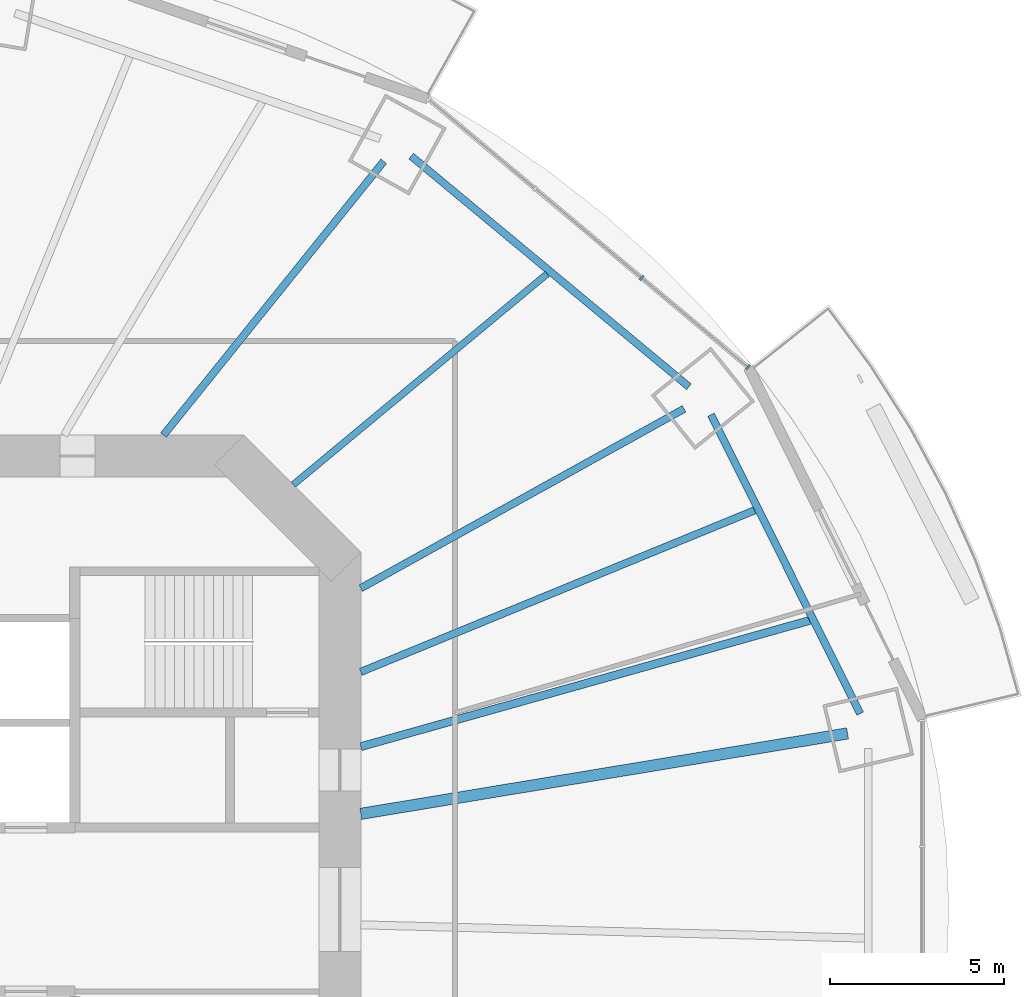
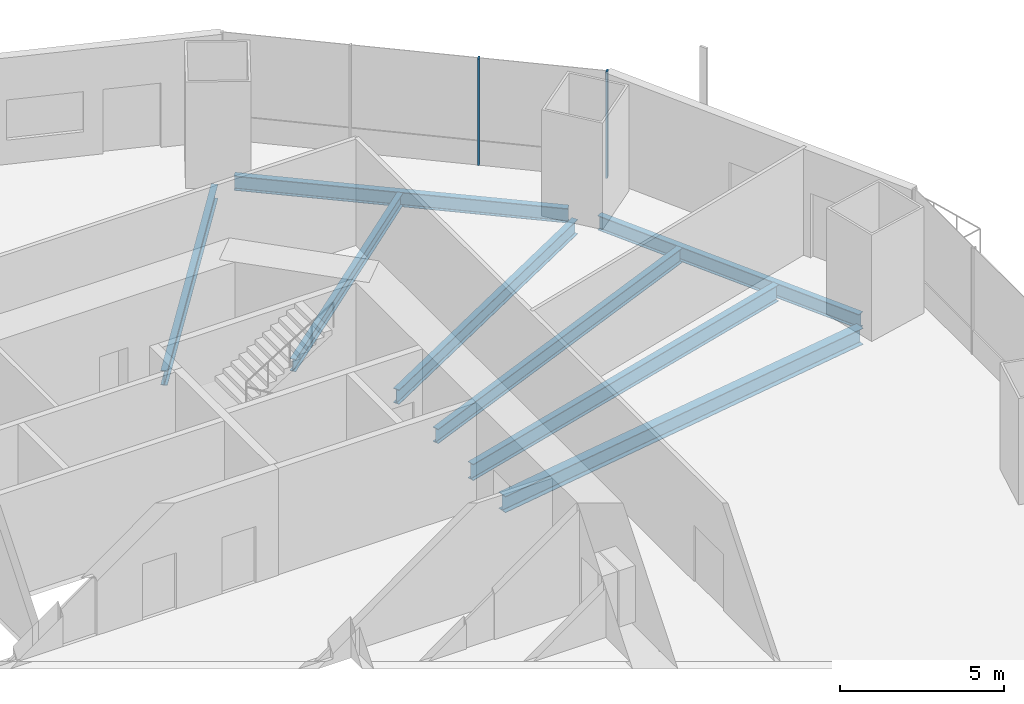
# One storey, part 8 of 20: 8 beams, 2 members, 1 element without a shape of its own.
"""IFC4 building model written with IfcOpenShell, lengths in metres."""

from ifc_helpers import new_model, si_unit, direction, frame, origin, origin_2d, place, context, subcontext, project, spatial, rectangle, i_section, extrude, material, material_profile, profile_set, type_object, element, aggregate, save


model = new_model("IFC4")

# Units and contexts
model_context = context("Model", 3, precision=1e-05, world=origin(), true_north=direction((0.0, 1.0)))
body_context = subcontext(model_context, "Body", "Model", "MODEL_VIEW")
ifc_project = project(units=[si_unit("LENGTHUNIT", "METRE"), si_unit("AREAUNIT", "SQUARE_METRE"), si_unit("VOLUMEUNIT", "CUBIC_METRE"), si_unit("PLANEANGLEUNIT", "RADIAN"), si_unit("MASSUNIT", "GRAM", prefix="KILO")], contexts=[model_context])

# Site, building, storey
site_placement = place(None, origin())
site = spatial("IfcSite", under=ifc_project, at=site_placement, CompositionType="ELEMENT")
building_placement = place(site_placement, origin())
building = spatial("IfcBuilding", under=site, at=building_placement, Name="Marenthal Gate Tower", CompositionType="ELEMENT")
storey_placement = place(building_placement, frame((0.0, 0.0, 132.60009765625)))
storey = spatial("IfcBuildingStorey", under=building, at=storey_placement, Name="L28", CompositionType="ELEMENT", Elevation=132.60009765625)

# Curtain wall, members
ifc_material_1 = material(Name="Aluminium and glass", Category="aluminium")
curtain_wall_type = type_object("IfcCurtainWallType", Name="Curtain wall typical low", PredefinedType="NOTDEFINED", material=ifc_material_1)
curtain_wall_placement = place(storey_placement, origin())
curtain_wall = element("IfcCurtainWall", 1, at=curtain_wall_placement, inside=storey, type_object=curtain_wall_type, Name="Curtain wall L28 bay 2", PredefinedType="NOTDEFINED")
ifc_material_2 = material(Name="Aluminium", Category="aluminium")
ifc_material_profile_1 = material_profile(ifc_material_2, rectangle(XDim=0.159912109375, YDim=0.06005859375, at=origin_2d()), Name="60x160 aluminium mullion")
ifc_profile_set_1 = profile_set([ifc_material_profile_1], Name="Aluminium")
member_type = type_object("IfcMemberType", Name="Mullion 60x160 typical low", PredefinedType="MULLION", material=ifc_profile_set_1)
member_1_placement = place(storey_placement, frame((27.699951171875, 15.55126953125, 0.0), z_axis=(0.0, 0.0, 1.0), x_axis=(-0.642510826857, -0.766276606305, 0.0)))
member_1 = element("IfcMember", 2, at=member_1_placement, type_object=member_type, Name="Mullion L28 bay 2.1", PredefinedType="MULLION", context=body_context, shape_type="SweptSolid", body=[
    extrude(rectangle(XDim=0.159912109375, YDim=0.06005859375, at=origin_2d()), origin(), (0.0, 0.0, 1.0), 3.969970703125),
])
member_2_placement = place(storey_placement, frame((24.64892578125, 18.109619140625, 0.0), z_axis=(0.0, 0.0, 1.0), x_axis=(-0.642510826857, -0.766276606305, 0.0)))
member_2 = element("IfcMember", 3, at=member_2_placement, type_object=member_type, Name="Mullion L28 bay 2.2", PredefinedType="MULLION", context=body_context, shape_type="SweptSolid", body=[
    extrude(rectangle(XDim=0.159912109375, YDim=0.06005859375, at=origin_2d()), origin(), (0.0, 0.0, 1.0), 3.969970703125),
])
aggregate(curtain_wall, [member_1, member_2])

# Beams
ifc_material_3 = material(Name="Steel S355", Category="steel")
ifc_material_profile_2 = material_profile(ifc_material_3, i_section(OverallWidth=0.193115234375, OverallDepth=0.467041015625, WebThickness=0.011474609375, FlangeThickness=0.01904296875, FilletRadius=0.010009765625, at=origin_2d()), Name="W460X97")
ifc_profile_set_2 = profile_set([ifc_material_profile_2], Name="Steel S355")
beam_type_1 = type_object("IfcBeamType", Name="W460X97 beam", PredefinedType="BEAM", material=ifc_profile_set_2)
beam_1_placement = place(storey_placement, frame((21.944580078125, 18.22412109375, -0.41357421875), z_axis=(-0.769313903272, -0.638870971506, 0.0), x_axis=(0.638870971506, -0.769313903272, 0.0)))
element("IfcBeam", 4, at=beam_1_placement, inside=storey, type_object=beam_type_1, Name="BM-L28-19", PredefinedType="BEAM", context=body_context, shape_type="SweptSolid", body=[
    extrude(i_section(OverallWidth=0.193115234375, OverallDepth=0.467041015625, WebThickness=0.011474609375, FlangeThickness=0.01904296875, FilletRadius=0.010009765625, at=origin_2d()), origin(), (0.0, 0.0, 1.0), 9.459228515625),
])
ifc_material_4 = material(Name="Steel S355", Category="steel")
ifc_material_profile_3 = material_profile(ifc_material_4, i_section(OverallWidth=0.2119140625, OverallDepth=0.5439453125, WebThickness=0.01318359375, FlangeThickness=0.021240234375, FilletRadius=0.0126953125, at=origin_2d()), Name="W530X123")
ifc_profile_set_3 = profile_set([ifc_material_profile_3], Name="Steel S355")
beam_type_2 = type_object("IfcBeamType", Name="W530X123 beam", PredefinedType="BEAM", material=ifc_profile_set_3)
beam_2_placement = place(storey_placement, frame((25.8701171875, 14.355224609375, -0.4521484375), z_axis=(-0.874396146379, -0.485212715412, 0.0), x_axis=(0.485212715412, -0.874396146379, 0.0)))
element("IfcBeam", 5, at=beam_2_placement, inside=storey, type_object=beam_type_2, Name="BM-L28-02", PredefinedType="BEAM", context=body_context, shape_type="SweptSolid", body=[
    extrude(i_section(OverallWidth=0.2119140625, OverallDepth=0.5439453125, WebThickness=0.01318359375, FlangeThickness=0.021240234375, FilletRadius=0.0126953125, at=origin_2d()), origin(), (0.0, 0.0, 1.0), 10.6015625),
])
beam_3_placement = place(storey_placement, frame((17.259521484375, 21.45166015625, -0.4521484375), z_axis=(-0.6268641657, -0.77912856305, 0.0), x_axis=(0.77912856305, -0.6268641657, 0.0)))
element("IfcBeam", 6, at=beam_3_placement, inside=storey, type_object=beam_type_2, Name="BM-L28-03", PredefinedType="BEAM", context=body_context, shape_type="SweptSolid", body=[
    extrude(i_section(OverallWidth=0.2119140625, OverallDepth=0.5439453125, WebThickness=0.01318359375, FlangeThickness=0.021240234375, FilletRadius=0.0126953125, at=origin_2d()), origin(), (0.0, 0.0, 1.0), 10.077392578125),
])
beam_4_placement = place(storey_placement, frame((27.8916015625, 11.444580078125, -0.4521484375), z_axis=(-0.925143041133, -0.379618694803, 0.0), x_axis=(0.379618694803, -0.925143041133, 0.0)))
element("IfcBeam", 7, at=beam_4_placement, inside=storey, type_object=beam_type_2, Name="BM-L28-18", PredefinedType="BEAM", context=body_context, shape_type="SweptSolid", body=[
    extrude(i_section(OverallWidth=0.2119140625, OverallDepth=0.5439453125, WebThickness=0.01318359375, FlangeThickness=0.021240234375, FilletRadius=0.0126953125, at=origin_2d()), origin(), (0.0, 0.0, 1.0), 12.205078125),
])
beam_5_placement = place(storey_placement, frame((30.916748046875, 5.616943359375, -0.4521484375), z_axis=(-0.446356728124, 0.89485511188, 0.0), x_axis=(-0.89485511188, -0.446356728124, 0.0)))
element("IfcBeam", 8, at=beam_5_placement, inside=storey, type_object=beam_type_2, Name="BM-L28-41", PredefinedType="BEAM", context=body_context, shape_type="SweptSolid", body=[
    extrude(i_section(OverallWidth=0.2119140625, OverallDepth=0.5439453125, WebThickness=0.01318359375, FlangeThickness=0.021240234375, FilletRadius=0.0126953125, at=origin_2d()), origin(), (0.0, 0.0, 1.0), 9.57568359375),
])
beam_6_placement = place(storey_placement, frame((26.0087890625, 14.98681640625, -0.4521484375), z_axis=(-0.769308410826, 0.638877585326, 0.0), x_axis=(-0.638877585326, -0.769308410826, 0.0)))
element("IfcBeam", 9, at=beam_6_placement, inside=storey, type_object=beam_type_2, Name="BM-L28-42", PredefinedType="BEAM", context=body_context, shape_type="SweptSolid", body=[
    extrude(i_section(OverallWidth=0.2119140625, OverallDepth=0.5439453125, WebThickness=0.01318359375, FlangeThickness=0.021240234375, FilletRadius=0.0126953125, at=origin_2d()), origin(), (0.0, 0.0, 1.0), 10.35302734375),
])
ifc_material_5 = material(Name="Steel S355", Category="steel")
ifc_material_profile_4 = material_profile(ifc_material_5, i_section(OverallWidth=0.22900390625, OverallDepth=0.612060546875, WebThickness=0.011962890625, FlangeThickness=0.01953125, FilletRadius=0.0126953125, at=origin_2d()), Name="W610X125")
ifc_profile_set_4 = profile_set([ifc_material_profile_4], Name="Steel S355")
beam_type_3 = type_object("IfcBeamType", Name="W610X125 beam", PredefinedType="BEAM", material=ifc_profile_set_4)
beam_7_placement = place(storey_placement, frame((29.466796875, 8.2861328125, -0.486083984375), z_axis=(-0.962662543646, -0.270704316664, 0.0), x_axis=(0.270704316664, -0.962662543646, 0.0)))
element("IfcBeam", 10, at=beam_7_placement, inside=storey, type_object=beam_type_3, Name="BM-L28-17", PredefinedType="BEAM", context=body_context, shape_type="SweptSolid", body=[
    extrude(i_section(OverallWidth=0.22900390625, OverallDepth=0.612060546875, WebThickness=0.011962890625, FlangeThickness=0.01953125, FilletRadius=0.0126953125, at=origin_2d()), origin(), (0.0, 0.0, 1.0), 13.36572265625),
])
ifc_material_6 = material(Name="Steel S355", Category="steel")
ifc_material_profile_5 = material_profile(ifc_material_6, i_section(OverallWidth=0.324951171875, OverallDepth=0.612060546875, WebThickness=0.0126953125, FlangeThickness=0.01904296875, FilletRadius=0.0126953125, at=origin_2d()), Name="W610X155")
ifc_profile_set_5 = profile_set([ifc_material_profile_5], Name="Steel S355")
beam_type_4 = type_object("IfcBeamType", Name="W610X155 beam", PredefinedType="BEAM", material=ifc_profile_set_5)
beam_8_placement = place(storey_placement, frame((30.556884765625, 5.047607421875, -0.486083984375), z_axis=(-0.986630319442, -0.162974270234, 0.0), x_axis=(0.162974270234, -0.986630319442, 0.0)))
element("IfcBeam", 11, at=beam_8_placement, inside=storey, type_object=beam_type_4, Name="BM-L28-01", PredefinedType="BEAM", context=body_context, shape_type="SweptSolid", body=[
    extrude(i_section(OverallWidth=0.324951171875, OverallDepth=0.612060546875, WebThickness=0.0126953125, FlangeThickness=0.01904296875, FilletRadius=0.0126953125, at=origin_2d()), origin(), (0.0, 0.0, 1.0), 14.14599609375),
])

save(model, "model.ifc")
